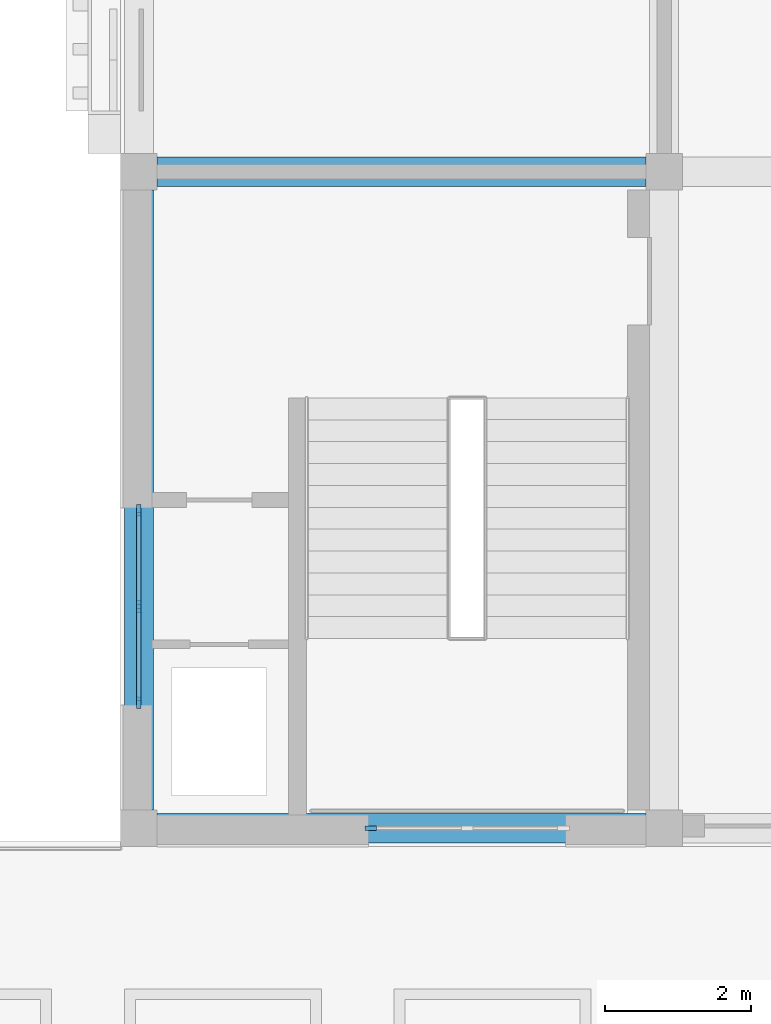
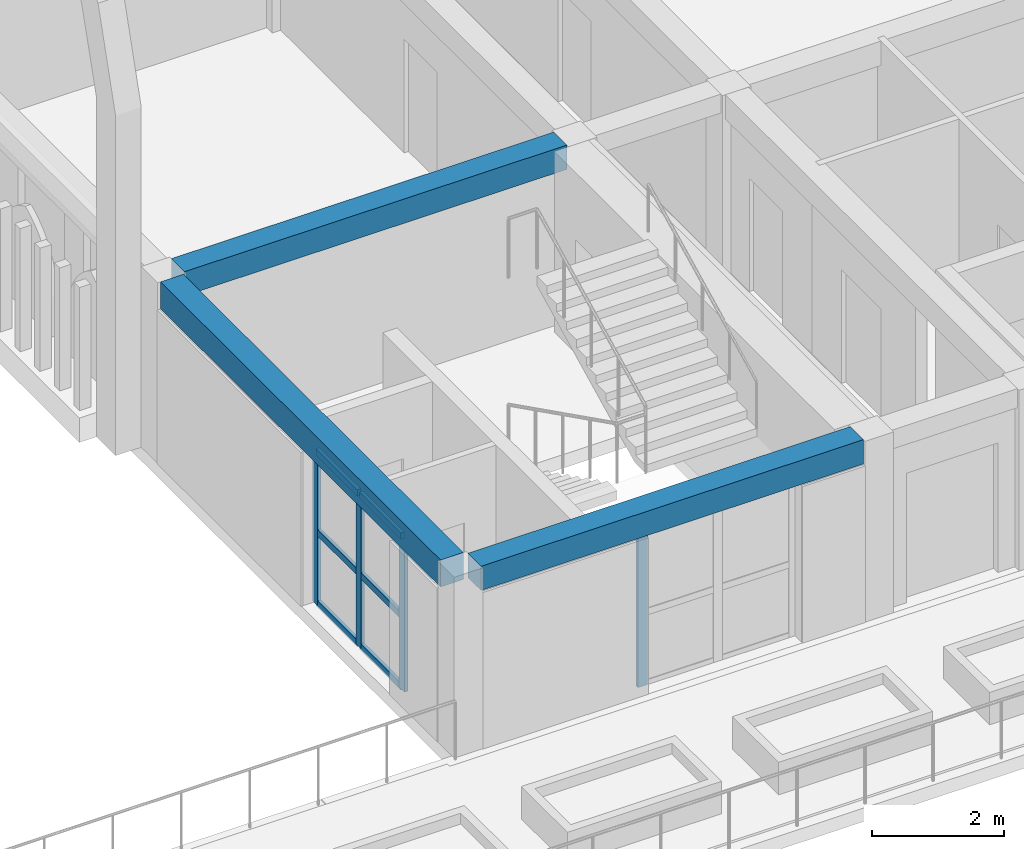
# One storey, part 18 of 82: 10 members, 3 beams, 2 elements without a shape of their own.
"""IFC4 building model written with IfcOpenShell, lengths in metres."""

from ifc_helpers import new_model, si_unit, direction, frame, origin, origin_2d, place, context, subcontext, project, spatial, rectangle, extrude, material, layer, layer_set, material_profile, profile_set, type_object, element, aggregate, save


model = new_model("IFC4")

# Units and contexts
model_context = context("Model", 3, precision=1e-05, world=origin(), true_north=direction((0.0, 1.0)))
body_context = subcontext(model_context, "Body", "Model", "MODEL_VIEW")
ifc_project = project(units=[si_unit("LENGTHUNIT", "METRE"), si_unit("AREAUNIT", "SQUARE_METRE"), si_unit("VOLUMEUNIT", "CUBIC_METRE"), si_unit("PLANEANGLEUNIT", "RADIAN"), si_unit("MASSUNIT", "GRAM", prefix="KILO")], contexts=[model_context])

# Site, building, storey
site_placement = place(None, origin())
site = spatial("IfcSite", under=ifc_project, at=site_placement, CompositionType="ELEMENT")
building_placement = place(site_placement, origin())
building = spatial("IfcBuilding", under=site, at=building_placement, Name="Elbe Cascade School", CompositionType="ELEMENT")
storey_placement = place(building_placement, frame((0.0, 0.0, 4.5)))
storey = spatial("IfcBuildingStorey", under=building, at=storey_placement, Name="L01", CompositionType="ELEMENT", Elevation=4.5)

# Curtain wall, members
ifc_material_1 = material(Name="Aluminium frame with double glazing, bronze anodised", Category="aluminium")
ifc_layer = layer(ifc_material_1, 0.159912109375)
ifc_layer_set = layer_set([ifc_layer], Name="Aluminium frame with double glazing, bronze anodised")
curtain_wall_type = type_object("IfcCurtainWallType", Name="Bars envelope Curtain wall, aluminium, bronze anodised, storey-high slot", PredefinedType="NOTDEFINED", material=ifc_layer_set)
curtain_wall_1_placement = place(storey_placement, origin())
curtain_wall_1 = element("IfcCurtainWall", 1, at=curtain_wall_1_placement, inside=storey, type_object=curtain_wall_type, Name="Curtain wall CW4 C.L01.w1", PredefinedType="NOTDEFINED")
ifc_material_2 = material(Name="Aluminium mullion, bronze anodised", Category="aluminium")
ifc_material_profile_1 = material_profile(ifc_material_2, rectangle(XDim=0.06005859375, YDim=0.159912109375, at=origin_2d()), Name="Bars envelope Curtain wall mullion 60 x 160, aluminium, storey-high slot")
ifc_profile_set_1 = profile_set([ifc_material_profile_1], Name="Aluminium mullion, bronze anodised")
member_type_1 = type_object("IfcMemberType", Name="Bars envelope Curtain wall mullion 60 x 160, aluminium, storey-high slot", PredefinedType="MULLION", material=ifc_profile_set_1)
member_1_placement = place(storey_placement, frame((128.199951171875, 7.719970703125, 0.0), z_axis=(0.0, 0.0, 1.0), x_axis=(-1.0, 0.0, 0.0)))
member_1 = element("IfcMember", 2, at=member_1_placement, type_object=member_type_1, Name="CW4 mullion 1", PredefinedType="MULLION", context=body_context, shape_type="SweptSolid", body=[
    extrude(rectangle(XDim=0.06005859375, YDim=0.159912109375, at=origin_2d()), origin(), (0.0, 0.0, 1.0), 2.85009765625),
])
member_2_placement = place(storey_placement, frame((128.199951171875, 9.0400390625, 0.0), z_axis=(0.0, 0.0, 1.0), x_axis=(-1.0, 0.0, 0.0)))
member_2 = element("IfcMember", 3, at=member_2_placement, type_object=member_type_1, Name="CW4 mullion 2", PredefinedType="MULLION", context=body_context, shape_type="SweptSolid", body=[
    extrude(rectangle(XDim=0.06005859375, YDim=0.159912109375, at=origin_2d()), origin(), (0.0, 0.0, 1.0), 2.85009765625),
])
member_3_placement = place(storey_placement, frame((128.199951171875, 10.360107421875, 0.0), z_axis=(0.0, 0.0, 1.0), x_axis=(-1.0, 0.0, 0.0)))
member_3 = element("IfcMember", 4, at=member_3_placement, type_object=member_type_1, Name="CW4 mullion 3", PredefinedType="MULLION", context=body_context, shape_type="SweptSolid", body=[
    extrude(rectangle(XDim=0.06005859375, YDim=0.159912109375, at=origin_2d()), origin(), (0.0, 0.0, 1.0), 2.85009765625),
])

# Curtain wall, member
curtain_wall_2_placement = place(storey_placement, origin())
curtain_wall_2 = element("IfcCurtainWall", 5, at=curtain_wall_2_placement, inside=storey, type_object=curtain_wall_type, Name="Curtain wall CW4 C.L01.s1", PredefinedType="NOTDEFINED")
member_4_placement = place(storey_placement, frame((131.3798828125, 6.0, 0.0), z_axis=(0.0, 0.0, 1.0), x_axis=(0.0, -1.0, 0.0)))
member_4 = element("IfcMember", 6, at=member_4_placement, type_object=member_type_1, Name="CW4 mullion 3", PredefinedType="MULLION", context=body_context, shape_type="SweptSolid", body=[
    extrude(rectangle(XDim=0.06005859375, YDim=0.159912109375, at=origin_2d()), origin(), (0.0, 0.0, 1.0), 2.89990234375),
])
aggregate(curtain_wall_2, [member_4])

# Member
ifc_material_3 = material(Name="Aluminium transom, bronze anodised", Category="aluminium")
ifc_material_profile_2 = material_profile(ifc_material_3, rectangle(XDim=0.06005859375, YDim=0.1201171875, at=origin_2d()), Name="Bars envelope Curtain wall transom 60 x 120, aluminium, storey-high slot")
ifc_profile_set_2 = profile_set([ifc_material_profile_2], Name="Aluminium transom, bronze anodised")
member_type_2 = type_object("IfcMemberType", Name="Bars envelope Curtain wall transom 60 x 120, aluminium, storey-high slot", PredefinedType="USERDEFINED", material=ifc_profile_set_2)
member_5_placement = place(storey_placement, frame((128.199951171875, 7.75, 0.030029296875), z_axis=(0.0, 1.0, 0.0), x_axis=(-1.0, 0.0, 0.0)))
member_5 = element("IfcMember", 7, at=member_5_placement, type_object=member_type_2, Name="CW4 transom 1.1", ObjectType="TRANSOM", PredefinedType="USERDEFINED", context=body_context, shape_type="SweptSolid", body=[
    extrude(rectangle(XDim=0.06005859375, YDim=0.1201171875, at=origin_2d()), origin(), (0.0, 0.0, 1.0), 1.260009765625),
])

member_6_placement = place(storey_placement, frame((128.199951171875, 7.75, 1.35009765625), z_axis=(0.0, 1.0, 0.0), x_axis=(-1.0, 0.0, 0.0)))
member_6 = element("IfcMember", 8, at=member_6_placement, type_object=member_type_2, Name="CW4 transom 1.2", ObjectType="TRANSOM", PredefinedType="USERDEFINED", context=body_context, shape_type="SweptSolid", body=[
    extrude(rectangle(XDim=0.06005859375, YDim=0.1201171875, at=origin_2d()), origin(), (0.0, 0.0, 1.0), 1.260009765625),
])

member_7_placement = place(storey_placement, frame((128.199951171875, 7.75, 2.820068359375), z_axis=(0.0, 1.0, 0.0), x_axis=(-1.0, 0.0, 0.0)))
member_7 = element("IfcMember", 9, at=member_7_placement, type_object=member_type_2, Name="CW4 transom 1.3", ObjectType="TRANSOM", PredefinedType="USERDEFINED", context=body_context, shape_type="SweptSolid", body=[
    extrude(rectangle(XDim=0.06005859375, YDim=0.1201171875, at=origin_2d()), origin(), (0.0, 0.0, 1.0), 1.260009765625),
])

member_8_placement = place(storey_placement, frame((128.199951171875, 9.070068359375, 0.030029296875), z_axis=(0.0, 1.0, 0.0), x_axis=(-1.0, 0.0, 0.0)))
member_8 = element("IfcMember", 10, at=member_8_placement, type_object=member_type_2, Name="CW4 transom 2.1", ObjectType="TRANSOM", PredefinedType="USERDEFINED", context=body_context, shape_type="SweptSolid", body=[
    extrude(rectangle(XDim=0.06005859375, YDim=0.1201171875, at=origin_2d()), origin(), (0.0, 0.0, 1.0), 1.260009765625),
])

member_9_placement = place(storey_placement, frame((128.199951171875, 9.070068359375, 1.35009765625), z_axis=(0.0, 1.0, 0.0), x_axis=(-1.0, 0.0, 0.0)))
member_9 = element("IfcMember", 11, at=member_9_placement, type_object=member_type_2, Name="CW4 transom 2.2", ObjectType="TRANSOM", PredefinedType="USERDEFINED", context=body_context, shape_type="SweptSolid", body=[
    extrude(rectangle(XDim=0.06005859375, YDim=0.1201171875, at=origin_2d()), origin(), (0.0, 0.0, 1.0), 1.260009765625),
])

member_10_placement = place(storey_placement, frame((128.199951171875, 9.070068359375, 2.820068359375), z_axis=(0.0, 1.0, 0.0), x_axis=(-1.0, 0.0, 0.0)))
member_10 = element("IfcMember", 12, at=member_10_placement, type_object=member_type_2, Name="CW4 transom 2.3", ObjectType="TRANSOM", PredefinedType="USERDEFINED", context=body_context, shape_type="SweptSolid", body=[
    extrude(rectangle(XDim=0.06005859375, YDim=0.1201171875, at=origin_2d()), origin(), (0.0, 0.0, 1.0), 1.260009765625),
])

aggregate(curtain_wall_1, [member_1, member_2, member_3, member_5, member_6, member_7, member_8, member_9, member_10])

# Beams
ifc_material_4 = material(Name="Concrete C30/37", Category="concrete")
ifc_material_profile_3 = material_profile(ifc_material_4, rectangle(XDim=0.39990234375, YDim=0.449951171875, at=origin_2d()), Name="RC 400x450")
ifc_profile_set_3 = profile_set([ifc_material_profile_3], Name="Concrete C30/37")
beam_type_1 = type_object("IfcBeamType", Name="RC 400x450 beam", PredefinedType="BEAM", material=ifc_profile_set_3)
for number, where, z_axis, x_axis, name in (
    (13, (128.449951171875, 6.0, 3.125), (1.0, 0.0, 0.0), (0.0, 1.0, 0.0), "RC 400x450 beam B2"),
    (14, (128.449951171875, 15.0, 3.125), (1.0, 0.0, 0.0), (0.0, 1.0, 0.0), "RC 400x450 beam B2"),
):
    element("IfcBeam", number, at=place(storey_placement, frame(where, z_axis=z_axis, x_axis=x_axis)), inside=storey, type_object=beam_type_1, Name=name, PredefinedType="BEAM", context=body_context, shape_type="SweptSolid", body=[
        extrude(rectangle(XDim=0.39990234375, YDim=0.449951171875, at=origin_2d()), origin(), (0.0, 0.0, 1.0), 6.699951171875),
    ])
ifc_material_5 = material(Name="Concrete C30/37", Category="concrete")
ifc_material_profile_4 = material_profile(ifc_material_5, rectangle(XDim=0.39990234375, YDim=0.5, at=origin_2d()), Name="RC 400x500")
ifc_profile_set_4 = profile_set([ifc_material_profile_4], Name="Concrete C30/37")
beam_type_2 = type_object("IfcBeamType", Name="RC 400x500 beam", PredefinedType="BEAM", material=ifc_profile_set_4)
beam_placement = place(storey_placement, frame((128.199951171875, 6.25, 3.10009765625), z_axis=(0.0, 1.0, 0.0), x_axis=(-1.0, 0.0, 0.0)))
element("IfcBeam", 15, at=beam_placement, inside=storey, type_object=beam_type_2, Name="RC 400x500 beam B1", PredefinedType="BEAM", context=body_context, shape_type="SweptSolid", body=[
    extrude(rectangle(XDim=0.39990234375, YDim=0.5, at=origin_2d()), origin(), (0.0, 0.0, 1.0), 8.5),
])

save(model, "model.ifc")
